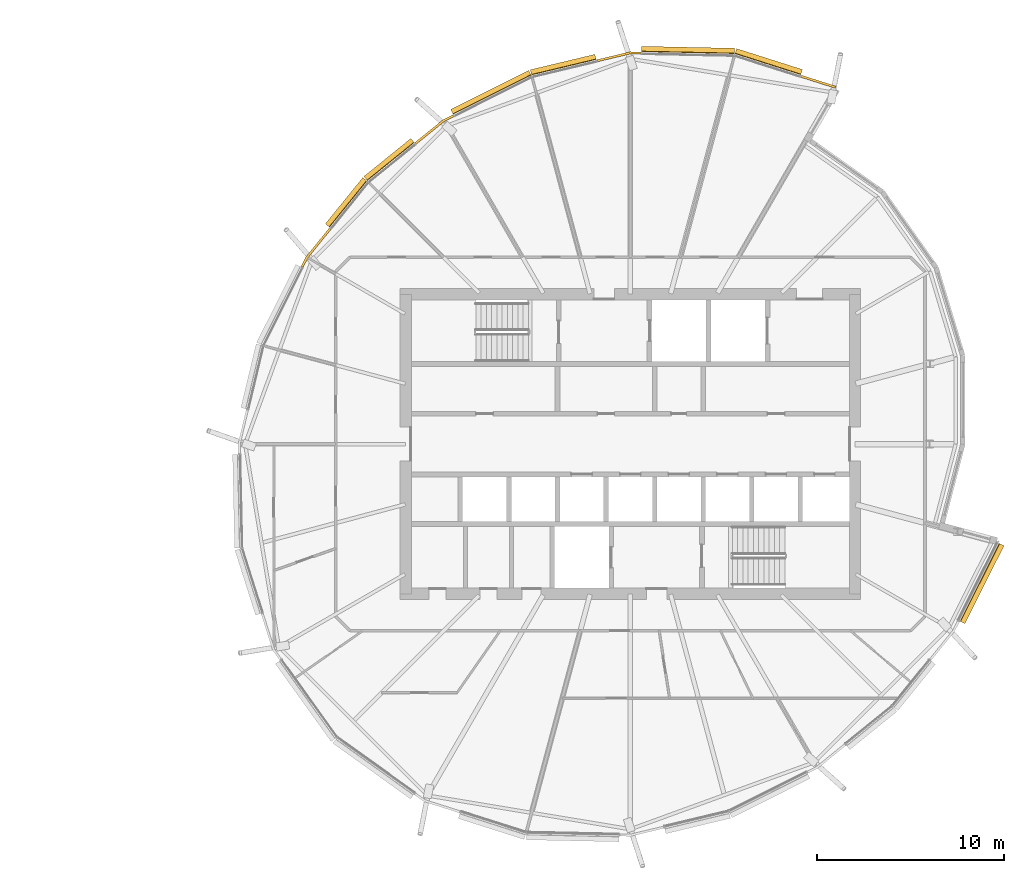
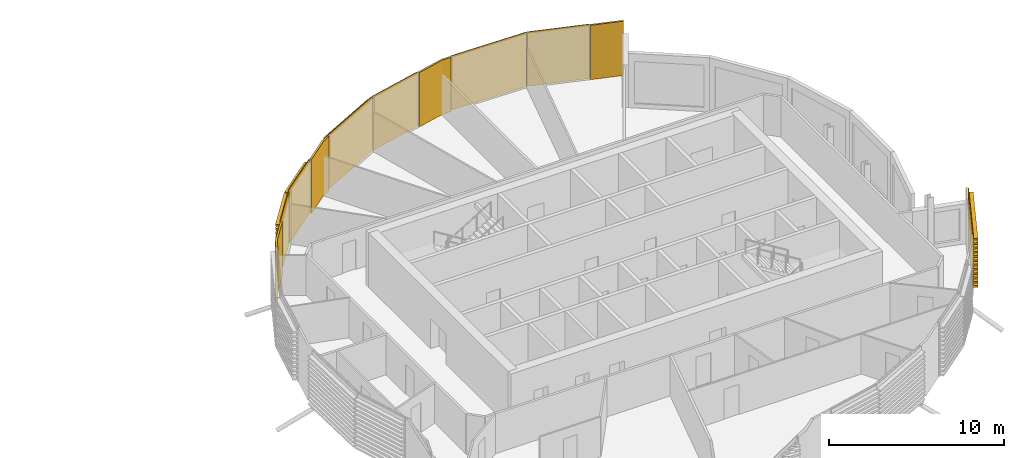
# One storey, part 36 of 36: 11 coverings.
"""IFC4 building model written with IfcOpenShell, lengths in metres."""

from ifc_helpers import new_model, si_unit, direction, frame, origin, place, context, subcontext, project, spatial, polyline, outline, extrude, material, layer, layer_set, material_profile, profile_set, type_object, element, save


model = new_model("IFC4")

# Units and contexts
model_context = context("Model", 3, precision=1e-05, world=origin(), true_north=direction((0.0, 1.0)))
body_context = subcontext(model_context, "Body", "Model", "MODEL_VIEW")
ifc_project = project(units=[si_unit("LENGTHUNIT", "METRE"), si_unit("AREAUNIT", "SQUARE_METRE"), si_unit("VOLUMEUNIT", "CUBIC_METRE"), si_unit("PLANEANGLEUNIT", "RADIAN"), si_unit("MASSUNIT", "GRAM", prefix="KILO")], contexts=[model_context])

# Site, building, storey
site_placement = place(None, origin())
site = spatial("IfcSite", under=ifc_project, at=site_placement, CompositionType="ELEMENT")
building_placement = place(site_placement, origin())
building = spatial("IfcBuilding", under=site, at=building_placement, Name="Rimbun Link Towers", CompositionType="ELEMENT")
storey_placement = place(building_placement, frame((0.0, 0.0, 174.10009765625)))
storey = spatial("IfcBuildingStorey", under=building, at=storey_placement, Name="L42", CompositionType="ELEMENT", Elevation=174.10009765625)

# Coverings
ifc_material_1 = material(Name="Terracotta", Category="masonry")
ifc_layer = layer(ifc_material_1, 0.1201171875)
ifc_layer_set = layer_set([ifc_layer], Name="LINK PIER terracotta cladding 120")
covering_type_1 = type_object("IfcCoveringType", Name="LINK PIER terracotta cladding 120", PredefinedType="CLADDING", material=ifc_layer_set)
covering_1_placement = place(storey_placement, origin())
element("IfcCovering", 1, at=covering_1_placement, inside=storey, type_object=covering_type_1, Name="LINK PIER cladding", PredefinedType="CLADDING", context=body_context, shape_type="SweptSolid", body=[
    extrude(outline(polyline([(40.8388671875, 19.591064453125), (42.6875, 19.003173828125), (42.723876953125, 19.117431640625), (40.875244140625, 19.705322265625), (40.8388671875, 19.591064453125)])), origin(), (0.0, 0.0, 1.0), 3.7998046875),
])
covering_2_placement = place(storey_placement, origin())
element("IfcCovering", 2, at=covering_2_placement, inside=storey, type_object=covering_type_1, Name="LINK PIER cladding", PredefinedType="CLADDING", context=body_context, shape_type="SweptSolid", body=[
    extrude(outline(polyline([(29.97998046875, 20.40966796875), (31.75, 20.8330078125), (32.31982421875, 20.821044921875), (32.322509765625, 20.941162109375), (31.737060546875, 20.953369140625), (29.951904296875, 20.5263671875), (29.97998046875, 20.40966796875)])), origin(), (0.0, 0.0, 1.0), 3.7998046875),
])
covering_3_placement = place(storey_placement, origin())
element("IfcCovering", 3, at=covering_3_placement, inside=storey, type_object=covering_type_1, Name="LINK PIER cladding", PredefinedType="CLADDING", context=body_context, shape_type="SweptSolid", body=[
    extrude(outline(polyline([(20.3154296875, 16.01220703125), (21.807861328125, 17.22021484375), (22.3173828125, 17.47607421875), (22.263427734375, 17.583251953125), (21.742431640625, 17.321533203125), (20.239990234375, 16.10546875), (20.3154296875, 16.01220703125)])), origin(), (0.0, 0.0, 1.0), 3.7998046875),
])
covering_4_placement = place(storey_placement, origin())
element("IfcCovering", 4, at=covering_4_placement, inside=storey, type_object=covering_type_1, Name="LINK PIER cladding", PredefinedType="CLADDING", context=body_context, shape_type="SweptSolid", body=[
    extrude(outline(polyline([(14.27392578125, 9.4326171875), (14.52978515625, 9.942138671875), (15.769287109375, 11.473388671875), (15.676025390625, 11.548828125), (14.428466796875, 10.007568359375), (14.166748046875, 9.486572265625), (14.27392578125, 9.4326171875)])), origin(), (0.0, 0.0, 1.0), 3.7998046875),
])
ifc_material_2 = material(Name="Terracotta", Category="masonry")
ifc_material_profile = material_profile(ifc_material_2, outline(polyline([(0.123046875, 0.0), (0.1630859375, 0.0), (0.1630859375, 0.10009765625), (0.423095703125, 0.10009765625), (0.423095703125, 0.219970703125), (0.1630859375, 0.219970703125), (0.1630859375, 0.39990234375), (0.423095703125, 0.39990234375), (0.423095703125, 0.52001953125), (0.1630859375, 0.52001953125), (0.1630859375, 0.699951171875), (0.423095703125, 0.699951171875), (0.423095703125, 0.820068359375), (0.1630859375, 0.820068359375), (0.1630859375, 1.0), (0.423095703125, 1.0), (0.423095703125, 1.1201171875), (0.1630859375, 1.1201171875), (0.1630859375, 1.300048828125), (0.423095703125, 1.300048828125), (0.423095703125, 1.419921875), (0.1630859375, 1.419921875), (0.1630859375, 1.60009765625), (0.423095703125, 1.60009765625), (0.423095703125, 1.719970703125), (0.1630859375, 1.719970703125), (0.1630859375, 1.89990234375), (0.423095703125, 1.89990234375), (0.423095703125, 2.02001953125), (0.1630859375, 2.02001953125), (0.1630859375, 2.199951171875), (0.423095703125, 2.199951171875), (0.423095703125, 2.320068359375), (0.1630859375, 2.320068359375), (0.1630859375, 2.5), (0.423095703125, 2.5), (0.423095703125, 2.6201171875), (0.1630859375, 2.6201171875), (0.1630859375, 2.800048828125), (0.423095703125, 2.800048828125), (0.423095703125, 2.919921875), (0.1630859375, 2.919921875), (0.1630859375, 3.10009765625), (0.423095703125, 3.10009765625), (0.423095703125, 3.219970703125), (0.1630859375, 3.219970703125), (0.1630859375, 3.39990234375), (0.423095703125, 3.39990234375), (0.423095703125, 3.52001953125), (0.1630859375, 3.52001953125), (0.1630859375, 3.800048828125), (0.123046875, 3.800048828125), (0.123046875, 0.0)])), Name="BAGUETTE 120X300")
ifc_profile_set = profile_set([ifc_material_profile], Name="Terracotta")
covering_type_2 = type_object("IfcCoveringType", Name="TERRACOTTA BAGUETTE 120X300 H3800", PredefinedType="CLADDING", material=ifc_profile_set)
covering_5_placement = place(storey_placement, frame((37.30078125, 20.71630859375, 0.0), z_axis=(0.952961469625, -0.30309146707, 0.0), x_axis=(0.30309146707, 0.952961469625, 0.0)))
element("IfcCovering", 5, at=covering_5_placement, inside=storey, type_object=covering_type_2, Name="TERRACOTTA BAGUETTE", PredefinedType="CLADDING", context=body_context, shape_type="SweptSolid", body=[
    extrude(outline(polyline([(0.123046875, 0.0), (0.1630859375, 0.0), (0.1630859375, 0.10009765625), (0.423095703125, 0.10009765625), (0.423095703125, 0.219970703125), (0.1630859375, 0.219970703125), (0.1630859375, 0.39990234375), (0.423095703125, 0.39990234375), (0.423095703125, 0.52001953125), (0.1630859375, 0.52001953125), (0.1630859375, 0.699951171875), (0.423095703125, 0.699951171875), (0.423095703125, 0.820068359375), (0.1630859375, 0.820068359375), (0.1630859375, 1.0), (0.423095703125, 1.0), (0.423095703125, 1.1201171875), (0.1630859375, 1.1201171875), (0.1630859375, 1.300048828125), (0.423095703125, 1.300048828125), (0.423095703125, 1.419921875), (0.1630859375, 1.419921875), (0.1630859375, 1.60009765625), (0.423095703125, 1.60009765625), (0.423095703125, 1.719970703125), (0.1630859375, 1.719970703125), (0.1630859375, 1.89990234375), (0.423095703125, 1.89990234375), (0.423095703125, 2.02001953125), (0.1630859375, 2.02001953125), (0.1630859375, 2.199951171875), (0.423095703125, 2.199951171875), (0.423095703125, 2.320068359375), (0.1630859375, 2.320068359375), (0.1630859375, 2.5), (0.423095703125, 2.5), (0.423095703125, 2.6201171875), (0.1630859375, 2.6201171875), (0.1630859375, 2.800048828125), (0.423095703125, 2.800048828125), (0.423095703125, 2.919921875), (0.1630859375, 2.919921875), (0.1630859375, 3.10009765625), (0.423095703125, 3.10009765625), (0.423095703125, 3.219970703125), (0.1630859375, 3.219970703125), (0.1630859375, 3.39990234375), (0.423095703125, 3.39990234375), (0.423095703125, 3.52001953125), (0.1630859375, 3.52001953125), (0.1630859375, 3.800048828125), (0.123046875, 3.800048828125), (0.123046875, 0.0)])), origin(), (0.0, 0.0, 1.0), 3.682861328125),
])
covering_6_placement = place(storey_placement, frame((32.349853515625, 20.820556640625, 0.0), z_axis=(0.999778390538, -0.021051598834, 0.0), x_axis=(0.021051598834, 0.999778390538, 0.0)))
element("IfcCovering", 6, at=covering_6_placement, inside=storey, type_object=covering_type_2, Name="TERRACOTTA BAGUETTE", PredefinedType="CLADDING", context=body_context, shape_type="SweptSolid", body=[
    extrude(outline(polyline([(0.123046875, 0.0), (0.1630859375, 0.0), (0.1630859375, 0.10009765625), (0.423095703125, 0.10009765625), (0.423095703125, 0.219970703125), (0.1630859375, 0.219970703125), (0.1630859375, 0.39990234375), (0.423095703125, 0.39990234375), (0.423095703125, 0.52001953125), (0.1630859375, 0.52001953125), (0.1630859375, 0.699951171875), (0.423095703125, 0.699951171875), (0.423095703125, 0.820068359375), (0.1630859375, 0.820068359375), (0.1630859375, 1.0), (0.423095703125, 1.0), (0.423095703125, 1.1201171875), (0.1630859375, 1.1201171875), (0.1630859375, 1.300048828125), (0.423095703125, 1.300048828125), (0.423095703125, 1.419921875), (0.1630859375, 1.419921875), (0.1630859375, 1.60009765625), (0.423095703125, 1.60009765625), (0.423095703125, 1.719970703125), (0.1630859375, 1.719970703125), (0.1630859375, 1.89990234375), (0.423095703125, 1.89990234375), (0.423095703125, 2.02001953125), (0.1630859375, 2.02001953125), (0.1630859375, 2.199951171875), (0.423095703125, 2.199951171875), (0.423095703125, 2.320068359375), (0.1630859375, 2.320068359375), (0.1630859375, 2.5), (0.423095703125, 2.5), (0.423095703125, 2.6201171875), (0.1630859375, 2.6201171875), (0.1630859375, 2.800048828125), (0.423095703125, 2.800048828125), (0.423095703125, 2.919921875), (0.1630859375, 2.919921875), (0.1630859375, 3.10009765625), (0.423095703125, 3.10009765625), (0.423095703125, 3.219970703125), (0.1630859375, 3.219970703125), (0.1630859375, 3.39990234375), (0.423095703125, 3.39990234375), (0.423095703125, 3.52001953125), (0.1630859375, 3.52001953125), (0.1630859375, 3.800048828125), (0.123046875, 3.800048828125), (0.123046875, 0.0)])), origin(), (0.0, 0.0, 1.0), 4.951904296875),
])
covering_7_placement = place(storey_placement, frame((26.50390625, 19.57861328125, 0.0), z_axis=(0.972579569149, 0.232570380043, 0.0), x_axis=(-0.232570380043, 0.972579569149, 0.0)))
element("IfcCovering", 7, at=covering_7_placement, inside=storey, type_object=covering_type_2, Name="TERRACOTTA BAGUETTE", PredefinedType="CLADDING", context=body_context, shape_type="SweptSolid", body=[
    extrude(outline(polyline([(0.123046875, 0.0), (0.1630859375, 0.0), (0.1630859375, 0.10009765625), (0.423095703125, 0.10009765625), (0.423095703125, 0.219970703125), (0.1630859375, 0.219970703125), (0.1630859375, 0.39990234375), (0.423095703125, 0.39990234375), (0.423095703125, 0.52001953125), (0.1630859375, 0.52001953125), (0.1630859375, 0.699951171875), (0.423095703125, 0.699951171875), (0.423095703125, 0.820068359375), (0.1630859375, 0.820068359375), (0.1630859375, 1.0), (0.423095703125, 1.0), (0.423095703125, 1.1201171875), (0.1630859375, 1.1201171875), (0.1630859375, 1.300048828125), (0.423095703125, 1.300048828125), (0.423095703125, 1.419921875), (0.1630859375, 1.419921875), (0.1630859375, 1.60009765625), (0.423095703125, 1.60009765625), (0.423095703125, 1.719970703125), (0.1630859375, 1.719970703125), (0.1630859375, 1.89990234375), (0.423095703125, 1.89990234375), (0.423095703125, 2.02001953125), (0.1630859375, 2.02001953125), (0.1630859375, 2.199951171875), (0.423095703125, 2.199951171875), (0.423095703125, 2.320068359375), (0.1630859375, 2.320068359375), (0.1630859375, 2.5), (0.423095703125, 2.5), (0.423095703125, 2.6201171875), (0.1630859375, 2.6201171875), (0.1630859375, 2.800048828125), (0.423095703125, 2.800048828125), (0.423095703125, 2.919921875), (0.1630859375, 2.919921875), (0.1630859375, 3.10009765625), (0.423095703125, 3.10009765625), (0.423095703125, 3.219970703125), (0.1630859375, 3.219970703125), (0.1630859375, 3.39990234375), (0.423095703125, 3.39990234375), (0.423095703125, 3.52001953125), (0.1630859375, 3.52001953125), (0.1630859375, 3.800048828125), (0.123046875, 3.800048828125), (0.123046875, 0.0)])), origin(), (0.0, 0.0, 1.0), 3.5439453125),
])
covering_8_placement = place(storey_placement, frame((22.343994140625, 17.489501953125, 0.0), z_axis=(0.893639106791, 0.448786304173, 0.0), x_axis=(-0.448786304173, 0.893639106791, 0.0)))
element("IfcCovering", 8, at=covering_8_placement, inside=storey, type_object=covering_type_2, Name="TERRACOTTA BAGUETTE", PredefinedType="CLADDING", context=body_context, shape_type="SweptSolid", body=[
    extrude(outline(polyline([(0.123046875, 0.0), (0.1630859375, 0.0), (0.1630859375, 0.10009765625), (0.423095703125, 0.10009765625), (0.423095703125, 0.219970703125), (0.1630859375, 0.219970703125), (0.1630859375, 0.39990234375), (0.423095703125, 0.39990234375), (0.423095703125, 0.52001953125), (0.1630859375, 0.52001953125), (0.1630859375, 0.699951171875), (0.423095703125, 0.699951171875), (0.423095703125, 0.820068359375), (0.1630859375, 0.820068359375), (0.1630859375, 1.0), (0.423095703125, 1.0), (0.423095703125, 1.1201171875), (0.1630859375, 1.1201171875), (0.1630859375, 1.300048828125), (0.423095703125, 1.300048828125), (0.423095703125, 1.419921875), (0.1630859375, 1.419921875), (0.1630859375, 1.60009765625), (0.423095703125, 1.60009765625), (0.423095703125, 1.719970703125), (0.1630859375, 1.719970703125), (0.1630859375, 1.89990234375), (0.423095703125, 1.89990234375), (0.423095703125, 2.02001953125), (0.1630859375, 2.02001953125), (0.1630859375, 2.199951171875), (0.423095703125, 2.199951171875), (0.423095703125, 2.320068359375), (0.1630859375, 2.320068359375), (0.1630859375, 2.5), (0.423095703125, 2.5), (0.423095703125, 2.6201171875), (0.1630859375, 2.6201171875), (0.1630859375, 2.800048828125), (0.423095703125, 2.800048828125), (0.423095703125, 2.919921875), (0.1630859375, 2.919921875), (0.1630859375, 3.10009765625), (0.423095703125, 3.10009765625), (0.423095703125, 3.219970703125), (0.1630859375, 3.219970703125), (0.1630859375, 3.39990234375), (0.423095703125, 3.39990234375), (0.423095703125, 3.52001953125), (0.1630859375, 3.52001953125), (0.1630859375, 3.800048828125), (0.123046875, 3.800048828125), (0.123046875, 0.0)])), origin(), (0.0, 0.0, 1.0), 4.655029296875),
])
covering_9_placement = place(storey_placement, frame((17.78564453125, 13.96435546875, 0.0), z_axis=(0.77725897438, 0.629180806085, 0.0), x_axis=(-0.629180806085, 0.77725897438, 0.0)))
element("IfcCovering", 9, at=covering_9_placement, inside=storey, type_object=covering_type_2, Name="TERRACOTTA BAGUETTE", PredefinedType="CLADDING", context=body_context, shape_type="SweptSolid", body=[
    extrude(outline(polyline([(0.123046875, 0.0), (0.1630859375, 0.0), (0.1630859375, 0.10009765625), (0.423095703125, 0.10009765625), (0.423095703125, 0.219970703125), (0.1630859375, 0.219970703125), (0.1630859375, 0.39990234375), (0.423095703125, 0.39990234375), (0.423095703125, 0.52001953125), (0.1630859375, 0.52001953125), (0.1630859375, 0.699951171875), (0.423095703125, 0.699951171875), (0.423095703125, 0.820068359375), (0.1630859375, 0.820068359375), (0.1630859375, 1.0), (0.423095703125, 1.0), (0.423095703125, 1.1201171875), (0.1630859375, 1.1201171875), (0.1630859375, 1.300048828125), (0.423095703125, 1.300048828125), (0.423095703125, 1.419921875), (0.1630859375, 1.419921875), (0.1630859375, 1.60009765625), (0.423095703125, 1.60009765625), (0.423095703125, 1.719970703125), (0.1630859375, 1.719970703125), (0.1630859375, 1.89990234375), (0.423095703125, 1.89990234375), (0.423095703125, 2.02001953125), (0.1630859375, 2.02001953125), (0.1630859375, 2.199951171875), (0.423095703125, 2.199951171875), (0.423095703125, 2.320068359375), (0.1630859375, 2.320068359375), (0.1630859375, 2.5), (0.423095703125, 2.5), (0.423095703125, 2.6201171875), (0.1630859375, 2.6201171875), (0.1630859375, 2.800048828125), (0.423095703125, 2.800048828125), (0.423095703125, 2.919921875), (0.1630859375, 2.919921875), (0.1630859375, 3.10009765625), (0.423095703125, 3.10009765625), (0.423095703125, 3.219970703125), (0.1630859375, 3.219970703125), (0.1630859375, 3.39990234375), (0.423095703125, 3.39990234375), (0.423095703125, 3.52001953125), (0.1630859375, 3.52001953125), (0.1630859375, 3.800048828125), (0.123046875, 3.800048828125), (0.123046875, 0.0)])), origin(), (0.0, 0.0, 1.0), 3.224853515625),
])
covering_10_placement = place(storey_placement, frame((15.7880859375, 11.49658203125, 0.0), z_axis=(0.629167258888, 0.77726994046, 0.0), x_axis=(-0.77726994046, 0.629167258888, 0.0)))
element("IfcCovering", 10, at=covering_10_placement, inside=storey, type_object=covering_type_2, Name="TERRACOTTA BAGUETTE", PredefinedType="CLADDING", context=body_context, shape_type="SweptSolid", body=[
    extrude(outline(polyline([(0.123046875, 0.0), (0.1630859375, 0.0), (0.1630859375, 0.10009765625), (0.423095703125, 0.10009765625), (0.423095703125, 0.219970703125), (0.1630859375, 0.219970703125), (0.1630859375, 0.39990234375), (0.423095703125, 0.39990234375), (0.423095703125, 0.52001953125), (0.1630859375, 0.52001953125), (0.1630859375, 0.699951171875), (0.423095703125, 0.699951171875), (0.423095703125, 0.820068359375), (0.1630859375, 0.820068359375), (0.1630859375, 1.0), (0.423095703125, 1.0), (0.423095703125, 1.1201171875), (0.1630859375, 1.1201171875), (0.1630859375, 1.300048828125), (0.423095703125, 1.300048828125), (0.423095703125, 1.419921875), (0.1630859375, 1.419921875), (0.1630859375, 1.60009765625), (0.423095703125, 1.60009765625), (0.423095703125, 1.719970703125), (0.1630859375, 1.719970703125), (0.1630859375, 1.89990234375), (0.423095703125, 1.89990234375), (0.423095703125, 2.02001953125), (0.1630859375, 2.02001953125), (0.1630859375, 2.199951171875), (0.423095703125, 2.199951171875), (0.423095703125, 2.320068359375), (0.1630859375, 2.320068359375), (0.1630859375, 2.5), (0.423095703125, 2.5), (0.423095703125, 2.6201171875), (0.1630859375, 2.6201171875), (0.1630859375, 2.800048828125), (0.423095703125, 2.800048828125), (0.423095703125, 2.919921875), (0.1630859375, 2.919921875), (0.1630859375, 3.10009765625), (0.423095703125, 3.10009765625), (0.423095703125, 3.219970703125), (0.1630859375, 3.219970703125), (0.1630859375, 3.39990234375), (0.423095703125, 3.39990234375), (0.423095703125, 3.52001953125), (0.1630859375, 3.52001953125), (0.1630859375, 3.800048828125), (0.123046875, 3.800048828125), (0.123046875, 0.0)])), origin(), (0.0, 0.0, 1.0), 3.1748046875),
])
covering_11_placement = place(storey_placement, frame((51.32861328125, -5.24609375, 0.0), z_axis=(-0.448786304173, -0.893639106791, 0.0), x_axis=(0.893639106791, -0.448786304173, 0.0)))
element("IfcCovering", 11, at=covering_11_placement, inside=storey, type_object=covering_type_2, Name="TERRACOTTA BAGUETTE", PredefinedType="CLADDING", context=body_context, shape_type="SweptSolid", body=[
    extrude(outline(polyline([(0.123046875, 0.0), (0.1630859375, 0.0), (0.1630859375, 0.10009765625), (0.423095703125, 0.10009765625), (0.423095703125, 0.219970703125), (0.1630859375, 0.219970703125), (0.1630859375, 0.39990234375), (0.423095703125, 0.39990234375), (0.423095703125, 0.52001953125), (0.1630859375, 0.52001953125), (0.1630859375, 0.699951171875), (0.423095703125, 0.699951171875), (0.423095703125, 0.820068359375), (0.1630859375, 0.820068359375), (0.1630859375, 1.0), (0.423095703125, 1.0), (0.423095703125, 1.1201171875), (0.1630859375, 1.1201171875), (0.1630859375, 1.300048828125), (0.423095703125, 1.300048828125), (0.423095703125, 1.419921875), (0.1630859375, 1.419921875), (0.1630859375, 1.60009765625), (0.423095703125, 1.60009765625), (0.423095703125, 1.719970703125), (0.1630859375, 1.719970703125), (0.1630859375, 1.89990234375), (0.423095703125, 1.89990234375), (0.423095703125, 2.02001953125), (0.1630859375, 2.02001953125), (0.1630859375, 2.199951171875), (0.423095703125, 2.199951171875), (0.423095703125, 2.320068359375), (0.1630859375, 2.320068359375), (0.1630859375, 2.5), (0.423095703125, 2.5), (0.423095703125, 2.6201171875), (0.1630859375, 2.6201171875), (0.1630859375, 2.800048828125), (0.423095703125, 2.800048828125), (0.423095703125, 2.919921875), (0.1630859375, 2.919921875), (0.1630859375, 3.10009765625), (0.423095703125, 3.10009765625), (0.423095703125, 3.219970703125), (0.1630859375, 3.219970703125), (0.1630859375, 3.39990234375), (0.423095703125, 3.39990234375), (0.423095703125, 3.52001953125), (0.1630859375, 3.52001953125), (0.1630859375, 3.800048828125), (0.123046875, 3.800048828125), (0.123046875, 0.0)])), origin(), (0.0, 0.0, 1.0), 4.655029296875),
])

save(model, "model.ifc")
